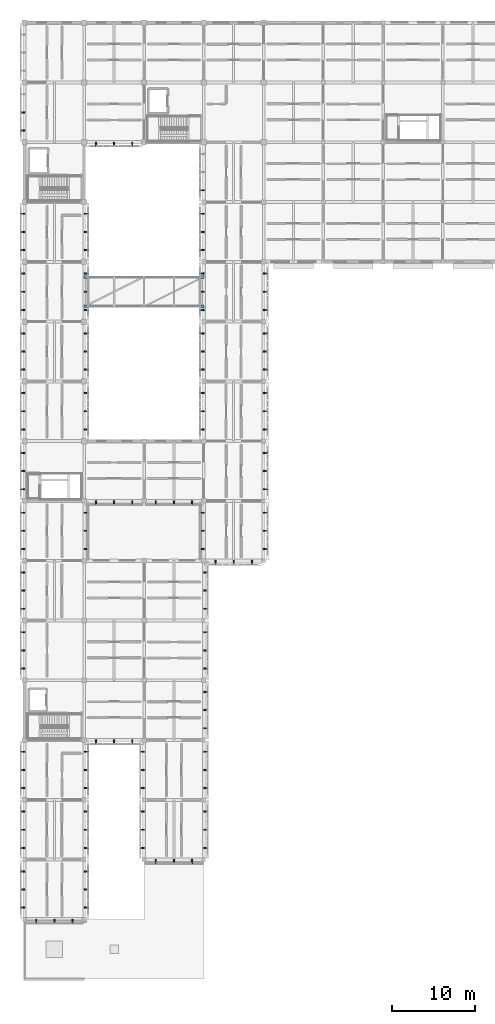
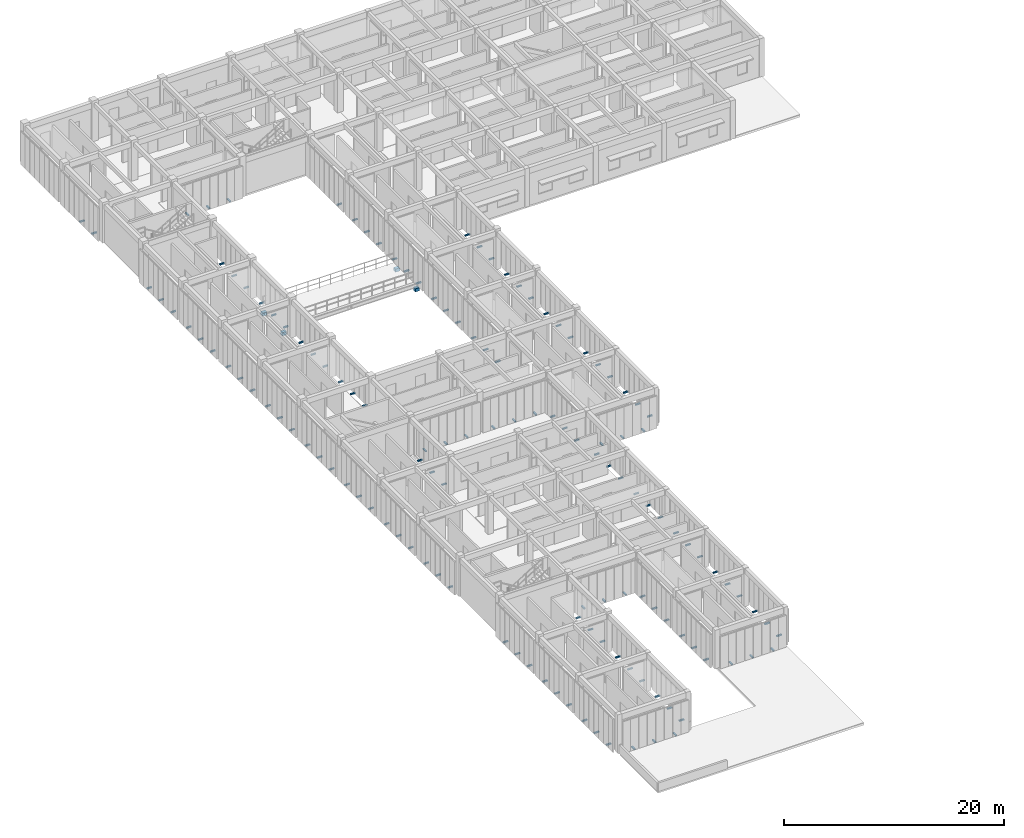
# One storey, part 83 of 91: 136 discrete accessories.
"""IFC4 building model written with IfcOpenShell, lengths in metres."""

from ifc_helpers import new_model, si_unit, direction, frame, origin, origin_2d, place, context, subcontext, project, spatial, rectangle, extrude, material, type_object, element, save


model = new_model("IFC4")

# Units and contexts
model_context = context("Model", 3, precision=1e-05, world=origin(), true_north=direction((0.0, 1.0)))
body_context = subcontext(model_context, "Body", "Model", "MODEL_VIEW")
ifc_project = project(units=[si_unit("LENGTHUNIT", "METRE"), si_unit("AREAUNIT", "SQUARE_METRE"), si_unit("VOLUMEUNIT", "CUBIC_METRE"), si_unit("PLANEANGLEUNIT", "RADIAN"), si_unit("MASSUNIT", "GRAM", prefix="KILO")], contexts=[model_context])

# Site, building, storey
site_placement = place(None, origin())
site = spatial("IfcSite", under=ifc_project, at=site_placement, CompositionType="ELEMENT")
building_placement = place(site_placement, origin())
building = spatial("IfcBuilding", under=site, at=building_placement, Name="Aldebral Square Health Centre", CompositionType="ELEMENT")
storey_placement = place(building_placement, frame((0.0, 0.0, 9.0)))
storey = spatial("IfcBuildingStorey", under=building, at=storey_placement, Name="L02", CompositionType="ELEMENT", Elevation=9.0)

# Discrete accessories
ifc_material_1 = material(Name="Steel S355JR", Category="steel")
discrete_accessory_type_1 = type_object("IfcDiscreteAccessoryType", Name="ACC-BRK-1", PredefinedType="BRACKET", material=ifc_material_1)
for number, where, z_axis, x_axis, name in (
    (1, (1.416015625, 6.969970703125, -0.009765625), (0.0, 0.0, 1.0), (1.0, 0.0, 0.0), "L02 finned curtain-wall bracket L02-V6-00-01-S.1"),
    (2, (3.60009765625, 6.969970703125, -0.009765625), (0.0, 0.0, 1.0), (1.0, 0.0, 0.0), "L02 finned curtain-wall bracket L02-V6-00-01-S.2"),
    (3, (5.783935546875, 6.969970703125, -0.009765625), (0.0, 0.0, 1.0), (1.0, 0.0, 0.0), "L02 finned curtain-wall bracket L02-V6-00-01-S.3"),
    (4, (-0.22998046875, 12.98388671875, -0.009765625), (0.0, 0.0, 1.0), (0.0, 1.0, 0.0), "L02 finned curtain-wall bracket L02-V6-00-01-W.1"),
    (5, (-0.22998046875, 10.800048828125, -0.009765625), (0.0, 0.0, 1.0), (0.0, 1.0, 0.0), "L02 finned curtain-wall bracket L02-V6-00-01-W.2"),
    (6, (-0.22998046875, 8.615966796875, -0.009765625), (0.0, 0.0, 1.0), (0.0, 1.0, 0.0), "L02 finned curtain-wall bracket L02-V6-00-01-W.3"),
    (7, (7.429931640625, 8.615966796875, -0.009765625), (0.0, 0.0, 1.0), (0.0, 1.0, 0.0), "L02 finned curtain-wall bracket L02-V6-00-01-E.1"),
    (8, (7.429931640625, 10.800048828125, -0.009765625), (0.0, 0.0, 1.0), (0.0, 1.0, 0.0), "L02 finned curtain-wall bracket L02-V6-00-01-E.2"),
    (9, (7.429931640625, 12.98388671875, -0.009765625), (0.0, 0.0, 1.0), (0.0, 1.0, 0.0), "L02 finned curtain-wall bracket L02-V6-00-01-E.3"),
    (10, (-0.22998046875, 20.18408203125, -0.009765625), (0.0, 0.0, 1.0), (0.0, 1.0, 0.0), "L02 finned curtain-wall bracket L02-V6-00-02-W.1"),
    (11, (-0.22998046875, 18.0, -0.009765625), (0.0, 0.0, 1.0), (0.0, 1.0, 0.0), "L02 finned curtain-wall bracket L02-V6-00-02-W.2"),
    (12, (-0.22998046875, 15.81591796875, -0.009765625), (0.0, 0.0, 1.0), (0.0, 1.0, 0.0), "L02 finned curtain-wall bracket L02-V6-00-02-W.3"),
    (13, (7.429931640625, 15.81591796875, -0.009765625), (0.0, 0.0, 1.0), (0.0, 1.0, 0.0), "L02 finned curtain-wall bracket L02-V6-00-02-E.1"),
    (14, (7.429931640625, 18.0, -0.009765625), (0.0, 0.0, 1.0), (0.0, 1.0, 0.0), "L02 finned curtain-wall bracket L02-V6-00-02-E.2"),
    (15, (7.429931640625, 20.18408203125, -0.009765625), (0.0, 0.0, 1.0), (0.0, 1.0, 0.0), "L02 finned curtain-wall bracket L02-V6-00-02-E.3"),
    (16, (-0.22998046875, 27.384033203125, -0.009765625), (0.0, 0.0, 1.0), (0.0, 1.0, 0.0), "L02 finned curtain-wall bracket L02-V6-00-03-W.1"),
    (17, (-0.22998046875, 25.199951171875, -0.009765625), (0.0, 0.0, 1.0), (0.0, 1.0, 0.0), "L02 finned curtain-wall bracket L02-V6-00-03-W.2"),
    (18, (-0.22998046875, 23.01611328125, -0.009765625), (0.0, 0.0, 1.0), (0.0, 1.0, 0.0), "L02 finned curtain-wall bracket L02-V6-00-03-W.3"),
    (19, (7.429931640625, 23.01611328125, -0.009765625), (0.0, 0.0, 1.0), (0.0, 1.0, 0.0), "L02 finned curtain-wall bracket L02-V6-00-03-E.1"),
    (20, (7.429931640625, 25.199951171875, -0.009765625), (0.0, 0.0, 1.0), (0.0, 1.0, 0.0), "L02 finned curtain-wall bracket L02-V6-00-03-E.2"),
    (21, (7.429931640625, 27.384033203125, -0.009765625), (0.0, 0.0, 1.0), (0.0, 1.0, 0.0), "L02 finned curtain-wall bracket L02-V6-00-03-E.3"),
    (22, (-0.22998046875, 41.783935546875, -0.009765625), (0.0, 0.0, 1.0), (0.0, 1.0, 0.0), "L02 finned curtain-wall bracket L02-V6-00-05-W.1"),
    (23, (-0.22998046875, 39.60009765625, -0.009765625), (0.0, 0.0, 1.0), (0.0, 1.0, 0.0), "L02 finned curtain-wall bracket L02-V6-00-05-W.2"),
    (24, (-0.22998046875, 37.416015625, -0.009765625), (0.0, 0.0, 1.0), (0.0, 1.0, 0.0), "L02 finned curtain-wall bracket L02-V6-00-05-W.3"),
    (25, (-0.22998046875, 48.98388671875, -0.009765625), (0.0, 0.0, 1.0), (0.0, 1.0, 0.0), "L02 finned curtain-wall bracket L02-V6-00-06-W.1"),
    (26, (-0.22998046875, 46.800048828125, -0.009765625), (0.0, 0.0, 1.0), (0.0, 1.0, 0.0), "L02 finned curtain-wall bracket L02-V6-00-06-W.2"),
    (27, (-0.22998046875, 44.615966796875, -0.009765625), (0.0, 0.0, 1.0), (0.0, 1.0, 0.0), "L02 finned curtain-wall bracket L02-V6-00-06-W.3"),
    (28, (-0.22998046875, 56.18408203125, -0.009765625), (0.0, 0.0, 1.0), (0.0, 1.0, 0.0), "L02 finned curtain-wall bracket L02-V4-00-07-W.1"),
    (29, (-0.22998046875, 54.0, -0.009765625), (0.0, 0.0, 1.0), (0.0, 1.0, 0.0), "L02 finned curtain-wall bracket L02-V4-00-07-W.2"),
    (30, (-0.22998046875, 51.81591796875, -0.009765625), (0.0, 0.0, 1.0), (0.0, 1.0, 0.0), "L02 finned curtain-wall bracket L02-V4-00-07-W.3"),
    (31, (7.429931640625, 51.81591796875, -0.009765625), (0.0, 0.0, 1.0), (0.0, 1.0, 0.0), "L02 finned curtain-wall bracket L02-V4-00-07-E.1"),
    (32, (7.429931640625, 54.0, -0.009765625), (0.0, 0.0, 1.0), (0.0, 1.0, 0.0), "L02 finned curtain-wall bracket L02-V4-00-07-E.2"),
    (33, (7.429931640625, 56.18408203125, -0.009765625), (0.0, 0.0, 1.0), (0.0, 1.0, 0.0), "L02 finned curtain-wall bracket L02-V4-00-07-E.3"),
    (34, (-0.22998046875, 63.384033203125, -0.009765625), (0.0, 0.0, 1.0), (0.0, 1.0, 0.0), "L02 finned curtain-wall bracket L02-V4-00-08-W.1"),
    (35, (-0.22998046875, 61.199951171875, -0.009765625), (0.0, 0.0, 1.0), (0.0, 1.0, 0.0), "L02 finned curtain-wall bracket L02-V4-00-08-W.2"),
    (36, (-0.22998046875, 59.01611328125, -0.009765625), (0.0, 0.0, 1.0), (0.0, 1.0, 0.0), "L02 finned curtain-wall bracket L02-V4-00-08-W.3"),
    (37, (-0.22998046875, 70.583984375, -0.009765625), (0.0, 0.0, 1.0), (0.0, 1.0, 0.0), "L02 finned curtain-wall bracket L02-V4-00-09-W.1"),
    (38, (-0.22998046875, 68.39990234375, -0.009765625), (0.0, 0.0, 1.0), (0.0, 1.0, 0.0), "L02 finned curtain-wall bracket L02-V4-00-09-W.2"),
    (39, (-0.22998046875, 66.216064453125, -0.009765625), (0.0, 0.0, 1.0), (0.0, 1.0, 0.0), "L02 finned curtain-wall bracket L02-V4-00-09-W.3"),
    (40, (7.429931640625, 66.216064453125, -0.009765625), (0.0, 0.0, 1.0), (0.0, 1.0, 0.0), "L02 finned curtain-wall bracket L02-V4-00-09-E.1"),
    (41, (7.429931640625, 68.39990234375, -0.009765625), (0.0, 0.0, 1.0), (0.0, 1.0, 0.0), "L02 finned curtain-wall bracket L02-V4-00-09-E.2"),
    (42, (7.429931640625, 70.583984375, -0.009765625), (0.0, 0.0, 1.0), (0.0, 1.0, 0.0), "L02 finned curtain-wall bracket L02-V4-00-09-E.3"),
    (43, (-0.22998046875, 77.783935546875, -0.009765625), (0.0, 0.0, 1.0), (0.0, 1.0, 0.0), "L02 finned curtain-wall bracket L02-V4-00-10-W.1"),
    (44, (-0.22998046875, 75.60009765625, -0.009765625), (0.0, 0.0, 1.0), (0.0, 1.0, 0.0), "L02 finned curtain-wall bracket L02-V4-00-10-W.2"),
    (45, (-0.22998046875, 73.416015625, -0.009765625), (0.0, 0.0, 1.0), (0.0, 1.0, 0.0), "L02 finned curtain-wall bracket L02-V4-00-10-W.3"),
    (46, (7.429931640625, 73.416015625, -0.009765625), (0.0, 0.0, 1.0), (0.0, 1.0, 0.0), "L02 finned curtain-wall bracket L02-V4-00-10-E.1"),
    (47, (7.429931640625, 75.60009765625, -0.009765625), (0.0, 0.0, 1.0), (0.0, 1.0, 0.0), "L02 finned curtain-wall bracket L02-V4-00-10-E.2"),
    (48, (7.429931640625, 77.783935546875, -0.009765625), (0.0, 0.0, 1.0), (0.0, 1.0, 0.0), "L02 finned curtain-wall bracket L02-V4-00-10-E.3"),
    (49, (-0.22998046875, 84.98388671875, -0.009765625), (0.0, 0.0, 1.0), (0.0, 1.0, 0.0), "L02 finned curtain-wall bracket L02-V4-00-11-W.1"),
    (50, (-0.22998046875, 82.800048828125, -0.009765625), (0.0, 0.0, 1.0), (0.0, 1.0, 0.0), "L02 finned curtain-wall bracket L02-V4-00-11-W.2"),
    (51, (-0.22998046875, 80.615966796875, -0.009765625), (0.0, 0.0, 1.0), (0.0, 1.0, 0.0), "L02 finned curtain-wall bracket L02-V4-00-11-W.3"),
    (52, (7.429931640625, 80.615966796875, -0.009765625), (0.0, 0.0, 1.0), (0.0, 1.0, 0.0), "L02 finned curtain-wall bracket L02-V4-00-11-E.1"),
    (53, (7.429931640625, 82.800048828125, -0.009765625), (0.0, 0.0, 1.0), (0.0, 1.0, 0.0), "L02 finned curtain-wall bracket L02-V4-00-11-E.2"),
    (54, (7.429931640625, 84.98388671875, -0.009765625), (0.0, 0.0, 1.0), (0.0, 1.0, 0.0), "L02 finned curtain-wall bracket L02-V4-00-11-E.3"),
    (55, (-0.22998046875, 92.18408203125, -0.009765625), (0.0, 0.0, 1.0), (0.0, 1.0, 0.0), "L02 finned curtain-wall bracket L02-V4-00-12-W.1"),
    (56, (-0.22998046875, 90.0, -0.009765625), (0.0, 0.0, 1.0), (0.0, 1.0, 0.0), "L02 finned curtain-wall bracket L02-V4-00-12-W.2"),
    (57, (-0.22998046875, 87.81591796875, -0.009765625), (0.0, 0.0, 1.0), (0.0, 1.0, 0.0), "L02 finned curtain-wall bracket L02-V4-00-12-W.3"),
    (58, (7.429931640625, 87.81591796875, -0.009765625), (0.0, 0.0, 1.0), (0.0, 1.0, 0.0), "L02 finned curtain-wall bracket L02-V4-00-12-E.1"),
    (59, (7.429931640625, 90.0, -0.009765625), (0.0, 0.0, 1.0), (0.0, 1.0, 0.0), "L02 finned curtain-wall bracket L02-V4-00-12-E.2"),
    (60, (7.429931640625, 92.18408203125, -0.009765625), (0.0, 0.0, 1.0), (0.0, 1.0, 0.0), "L02 finned curtain-wall bracket L02-V4-00-12-E.3"),
    (61, (-0.22998046875, 104.39990234375, -0.009765625), (0.0, 0.0, 1.0), (0.0, 1.0, 0.0), "L02 finned curtain-wall bracket L02-V4-00-14-W.2"),
    (62, (-0.22998046875, 102.216064453125, -0.009765625), (0.0, 0.0, 1.0), (0.0, 1.0, 0.0), "L02 finned curtain-wall bracket L02-V4-00-14-W.3"),
    (63, (8.615966796875, 28.570068359375, -0.009765625), (0.0, 0.0, 1.0), (1.0, 0.0, 0.0), "L02 finned curtain-wall bracket L02-V6-01-04-S.1"),
    (64, (10.800048828125, 28.570068359375, -0.009765625), (0.0, 0.0, 1.0), (1.0, 0.0, 0.0), "L02 finned curtain-wall bracket L02-V6-01-04-S.2"),
    (65, (12.98388671875, 28.570068359375, -0.009765625), (0.0, 0.0, 1.0), (1.0, 0.0, 0.0), "L02 finned curtain-wall bracket L02-V6-01-04-S.3"),
    (66, (8.615966796875, 57.3701171875, -0.009765625), (0.0, 0.0, 1.0), (1.0, 0.0, 0.0), "L02 finned curtain-wall bracket L02-V4-01-08-S.1"),
    (67, (10.800048828125, 57.3701171875, -0.009765625), (0.0, 0.0, 1.0), (1.0, 0.0, 0.0), "L02 finned curtain-wall bracket L02-V4-01-08-S.2"),
    (68, (12.98388671875, 57.3701171875, -0.009765625), (0.0, 0.0, 1.0), (1.0, 0.0, 0.0), "L02 finned curtain-wall bracket L02-V4-01-08-S.3"),
    (69, (8.615966796875, 100.570068359375, -0.009765625), (0.0, 0.0, 1.0), (1.0, 0.0, 0.0), "L02 finned curtain-wall bracket L02-V4-01-14-S.1"),
    (70, (10.800048828125, 100.570068359375, -0.009765625), (0.0, 0.0, 1.0), (1.0, 0.0, 0.0), "L02 finned curtain-wall bracket L02-V4-01-14-S.2"),
    (71, (12.98388671875, 100.570068359375, -0.009765625), (0.0, 0.0, 1.0), (1.0, 0.0, 0.0), "L02 finned curtain-wall bracket L02-V4-01-14-S.3"),
    (72, (15.81591796875, 14.169921875, -0.009765625), (0.0, 0.0, 1.0), (1.0, 0.0, 0.0), "L02 finned curtain-wall bracket L02-V6-02-02-S.1"),
    (73, (18.0, 14.169921875, -0.009765625), (0.0, 0.0, 1.0), (1.0, 0.0, 0.0), "L02 finned curtain-wall bracket L02-V6-02-02-S.2"),
    (74, (20.18408203125, 14.169921875, -0.009765625), (0.0, 0.0, 1.0), (1.0, 0.0, 0.0), "L02 finned curtain-wall bracket L02-V6-02-02-S.3"),
    (75, (14.169921875, 20.18408203125, -0.009765625), (0.0, 0.0, 1.0), (0.0, 1.0, 0.0), "L02 finned curtain-wall bracket L02-V6-02-02-W.1"),
    (76, (14.169921875, 18.0, -0.009765625), (0.0, 0.0, 1.0), (0.0, 1.0, 0.0), "L02 finned curtain-wall bracket L02-V6-02-02-W.2"),
    (77, (14.169921875, 15.81591796875, -0.009765625), (0.0, 0.0, 1.0), (0.0, 1.0, 0.0), "L02 finned curtain-wall bracket L02-V6-02-02-W.3"),
    (78, (21.830078125, 15.81591796875, -0.009765625), (0.0, 0.0, 1.0), (0.0, 1.0, 0.0), "L02 finned curtain-wall bracket L02-V6-02-02-E.1"),
    (79, (21.830078125, 18.0, -0.009765625), (0.0, 0.0, 1.0), (0.0, 1.0, 0.0), "L02 finned curtain-wall bracket L02-V6-02-02-E.2"),
    (80, (21.830078125, 20.18408203125, -0.009765625), (0.0, 0.0, 1.0), (0.0, 1.0, 0.0), "L02 finned curtain-wall bracket L02-V6-02-02-E.3"),
    (81, (14.169921875, 27.384033203125, -0.009765625), (0.0, 0.0, 1.0), (0.0, 1.0, 0.0), "L02 finned curtain-wall bracket L02-V6-02-03-W.1"),
    (82, (14.169921875, 25.199951171875, -0.009765625), (0.0, 0.0, 1.0), (0.0, 1.0, 0.0), "L02 finned curtain-wall bracket L02-V6-02-03-W.2"),
    (83, (14.169921875, 23.01611328125, -0.009765625), (0.0, 0.0, 1.0), (0.0, 1.0, 0.0), "L02 finned curtain-wall bracket L02-V6-02-03-W.3"),
    (84, (21.830078125, 23.01611328125, -0.009765625), (0.0, 0.0, 1.0), (0.0, 1.0, 0.0), "L02 finned curtain-wall bracket L02-V6-02-03-E.1"),
    (85, (21.830078125, 25.199951171875, -0.009765625), (0.0, 0.0, 1.0), (0.0, 1.0, 0.0), "L02 finned curtain-wall bracket L02-V6-02-03-E.2"),
    (86, (21.830078125, 27.384033203125, -0.009765625), (0.0, 0.0, 1.0), (0.0, 1.0, 0.0), "L02 finned curtain-wall bracket L02-V6-02-03-E.3"),
    (87, (21.830078125, 30.216064453125, -0.009765625), (0.0, 0.0, 1.0), (0.0, 1.0, 0.0), "L02 finned curtain-wall bracket L02-V6-02-04-E.1"),
    (88, (21.830078125, 32.39990234375, -0.009765625), (0.0, 0.0, 1.0), (0.0, 1.0, 0.0), "L02 finned curtain-wall bracket L02-V6-02-04-E.2"),
    (89, (21.830078125, 34.583984375, -0.009765625), (0.0, 0.0, 1.0), (0.0, 1.0, 0.0), "L02 finned curtain-wall bracket L02-V6-02-04-E.3"),
    (90, (21.830078125, 37.416015625, -0.009765625), (0.0, 0.0, 1.0), (0.0, 1.0, 0.0), "L02 finned curtain-wall bracket L02-V6-02-05-E.1"),
    (91, (21.830078125, 39.60009765625, -0.009765625), (0.0, 0.0, 1.0), (0.0, 1.0, 0.0), "L02 finned curtain-wall bracket L02-V6-02-05-E.2"),
    (92, (21.830078125, 41.783935546875, -0.009765625), (0.0, 0.0, 1.0), (0.0, 1.0, 0.0), "L02 finned curtain-wall bracket L02-V6-02-05-E.3"),
    (93, (21.830078125, 44.615966796875, -0.009765625), (0.0, 0.0, 1.0), (0.0, 1.0, 0.0), "L02 finned curtain-wall bracket L02-V6-02-06-E.1"),
    (94, (21.830078125, 46.800048828125, -0.009765625), (0.0, 0.0, 1.0), (0.0, 1.0, 0.0), "L02 finned curtain-wall bracket L02-V6-02-06-E.2"),
    (95, (21.830078125, 48.98388671875, -0.009765625), (0.0, 0.0, 1.0), (0.0, 1.0, 0.0), "L02 finned curtain-wall bracket L02-V6-02-06-E.3"),
    (96, (15.81591796875, 57.3701171875, -0.009765625), (0.0, 0.0, 1.0), (1.0, 0.0, 0.0), "L02 finned curtain-wall bracket L02-V4-02-08-S.1"),
    (97, (18.0, 57.3701171875, -0.009765625), (0.0, 0.0, 1.0), (1.0, 0.0, 0.0), "L02 finned curtain-wall bracket L02-V4-02-08-S.2"),
    (98, (20.18408203125, 57.3701171875, -0.009765625), (0.0, 0.0, 1.0), (1.0, 0.0, 0.0), "L02 finned curtain-wall bracket L02-V4-02-08-S.3"),
    (99, (23.01611328125, 50.169921875, -0.009765625), (0.0, 0.0, 1.0), (1.0, 0.0, 0.0), "L02 finned curtain-wall bracket L02-V4-03-07-S.1"),
    (100, (25.199951171875, 50.169921875, -0.009765625), (0.0, 0.0, 1.0), (1.0, 0.0, 0.0), "L02 finned curtain-wall bracket L02-V4-03-07-S.2"),
    (101, (27.384033203125, 50.169921875, -0.009765625), (0.0, 0.0, 1.0), (1.0, 0.0, 0.0), "L02 finned curtain-wall bracket L02-V4-03-07-S.3"),
    (102, (21.3701171875, 56.18408203125, -0.009765625), (0.0, 0.0, 1.0), (0.0, 1.0, 0.0), "L02 finned curtain-wall bracket L02-V4-03-07-W.1"),
    (103, (21.3701171875, 54.0, -0.009765625), (0.0, 0.0, 1.0), (0.0, 1.0, 0.0), "L02 finned curtain-wall bracket L02-V4-03-07-W.2"),
    (104, (21.3701171875, 51.81591796875, -0.009765625), (0.0, 0.0, 1.0), (0.0, 1.0, 0.0), "L02 finned curtain-wall bracket L02-V4-03-07-W.3"),
    (105, (29.030029296875, 51.81591796875, -0.009765625), (0.0, 0.0, 1.0), (0.0, 1.0, 0.0), "L02 finned curtain-wall bracket L02-V4-03-07-E.1"),
    (106, (29.030029296875, 54.0, -0.009765625), (0.0, 0.0, 1.0), (0.0, 1.0, 0.0), "L02 finned curtain-wall bracket L02-V4-03-07-E.2"),
    (107, (29.030029296875, 56.18408203125, -0.009765625), (0.0, 0.0, 1.0), (0.0, 1.0, 0.0), "L02 finned curtain-wall bracket L02-V4-03-07-E.3"),
    (108, (29.030029296875, 59.01611328125, -0.009765625), (0.0, 0.0, 1.0), (0.0, 1.0, 0.0), "L02 finned curtain-wall bracket L02-V4-03-08-E.1"),
    (109, (29.030029296875, 61.199951171875, -0.009765625), (0.0, 0.0, 1.0), (0.0, 1.0, 0.0), "L02 finned curtain-wall bracket L02-V4-03-08-E.2"),
    (110, (29.030029296875, 63.384033203125, -0.009765625), (0.0, 0.0, 1.0), (0.0, 1.0, 0.0), "L02 finned curtain-wall bracket L02-V4-03-08-E.3"),
    (111, (21.3701171875, 70.583984375, -0.009765625), (0.0, 0.0, 1.0), (0.0, 1.0, 0.0), "L02 finned curtain-wall bracket L02-V4-03-09-W.1"),
    (112, (21.3701171875, 68.39990234375, -0.009765625), (0.0, 0.0, 1.0), (0.0, 1.0, 0.0), "L02 finned curtain-wall bracket L02-V4-03-09-W.2"),
    (113, (21.3701171875, 66.216064453125, -0.009765625), (0.0, 0.0, 1.0), (0.0, 1.0, 0.0), "L02 finned curtain-wall bracket L02-V4-03-09-W.3"),
    (114, (29.030029296875, 66.216064453125, -0.009765625), (0.0, 0.0, 1.0), (0.0, 1.0, 0.0), "L02 finned curtain-wall bracket L02-V4-03-09-E.1"),
    (115, (29.030029296875, 68.39990234375, -0.009765625), (0.0, 0.0, 1.0), (0.0, 1.0, 0.0), "L02 finned curtain-wall bracket L02-V4-03-09-E.2"),
    (116, (29.030029296875, 70.583984375, -0.009765625), (0.0, 0.0, 1.0), (0.0, 1.0, 0.0), "L02 finned curtain-wall bracket L02-V4-03-09-E.3"),
    (117, (21.3701171875, 77.783935546875, -0.009765625), (0.0, 0.0, 1.0), (0.0, 1.0, 0.0), "L02 finned curtain-wall bracket L02-V4-03-10-W.1"),
    (118, (21.3701171875, 75.60009765625, -0.009765625), (0.0, 0.0, 1.0), (0.0, 1.0, 0.0), "L02 finned curtain-wall bracket L02-V4-03-10-W.2"),
    (119, (21.3701171875, 73.416015625, -0.009765625), (0.0, 0.0, 1.0), (0.0, 1.0, 0.0), "L02 finned curtain-wall bracket L02-V4-03-10-W.3"),
    (120, (29.030029296875, 73.416015625, -0.009765625), (0.0, 0.0, 1.0), (0.0, 1.0, 0.0), "L02 finned curtain-wall bracket L02-V4-03-10-E.1"),
    (121, (29.030029296875, 75.60009765625, -0.009765625), (0.0, 0.0, 1.0), (0.0, 1.0, 0.0), "L02 finned curtain-wall bracket L02-V4-03-10-E.2"),
    (122, (29.030029296875, 77.783935546875, -0.009765625), (0.0, 0.0, 1.0), (0.0, 1.0, 0.0), "L02 finned curtain-wall bracket L02-V4-03-10-E.3"),
    (123, (21.3701171875, 84.98388671875, -0.009765625), (0.0, 0.0, 1.0), (0.0, 1.0, 0.0), "L02 finned curtain-wall bracket L02-V4-03-11-W.1"),
    (124, (21.3701171875, 82.800048828125, -0.009765625), (0.0, 0.0, 1.0), (0.0, 1.0, 0.0), "L02 finned curtain-wall bracket L02-V4-03-11-W.2"),
    (125, (21.3701171875, 80.615966796875, -0.009765625), (0.0, 0.0, 1.0), (0.0, 1.0, 0.0), "L02 finned curtain-wall bracket L02-V4-03-11-W.3"),
    (126, (29.030029296875, 80.615966796875, -0.009765625), (0.0, 0.0, 1.0), (0.0, 1.0, 0.0), "L02 finned curtain-wall bracket L02-V4-03-11-E.1"),
    (127, (29.030029296875, 82.800048828125, -0.009765625), (0.0, 0.0, 1.0), (0.0, 1.0, 0.0), "L02 finned curtain-wall bracket L02-V4-03-11-E.2"),
    (128, (29.030029296875, 84.98388671875, -0.009765625), (0.0, 0.0, 1.0), (0.0, 1.0, 0.0), "L02 finned curtain-wall bracket L02-V4-03-11-E.3"),
    (129, (21.3701171875, 92.18408203125, -0.009765625), (0.0, 0.0, 1.0), (0.0, 1.0, 0.0), "L02 finned curtain-wall bracket L02-V4-03-12-W.1"),
    (130, (21.3701171875, 90.0, -0.009765625), (0.0, 0.0, 1.0), (0.0, 1.0, 0.0), "L02 finned curtain-wall bracket L02-V4-03-12-W.2"),
    (131, (21.3701171875, 87.81591796875, -0.009765625), (0.0, 0.0, 1.0), (0.0, 1.0, 0.0), "L02 finned curtain-wall bracket L02-V4-03-12-W.3"),
    (132, (21.3701171875, 95.01611328125, -0.009765625), (0.0, 0.0, 1.0), (0.0, 1.0, 0.0), "L02 finned curtain-wall bracket L02-V4-03-13-W.3"),
):
    element("IfcDiscreteAccessory", number, at=place(storey_placement, frame(where, z_axis=z_axis, x_axis=x_axis)), inside=storey, type_object=discrete_accessory_type_1, Name=name, PredefinedType="BRACKET", context=body_context, shape_type="SweptSolid", body=[
        extrude(rectangle(XDim=0.159912109375, YDim=0.52001953125, at=origin_2d()), origin(), (0.0, 0.0, 1.0), 0.139892578125),
    ])
ifc_material_2 = material(Name="Concrete C40/50", Category="concrete")
discrete_accessory_type_2 = type_object("IfcDiscreteAccessoryType", Name="ACC-COR-1", PredefinedType="BRACKET", material=ifc_material_2)
for number, where, z_axis, x_axis, name in (
    (133, (7.425048828125, 81.0, -1.02001953125), (0.0, 0.0, 1.0), (1.0, 0.0, 0.0), "West Light Court Bridge L02 450mm sliding bearing corbel seat S1-W"),
    (134, (21.375, 81.0, -1.02001953125), (0.0, 0.0, 1.0), (1.0, 0.0, 0.0), "West Light Court Bridge L02 450mm sliding bearing corbel seat S1-E"),
    (135, (7.425048828125, 84.60009765625, -1.02001953125), (0.0, 0.0, 1.0), (1.0, 0.0, 0.0), "West Light Court Bridge L02 450mm sliding bearing corbel seat S2-W"),
    (136, (21.375, 84.60009765625, -1.02001953125), (0.0, 0.0, 1.0), (1.0, 0.0, 0.0), "West Light Court Bridge L02 450mm sliding bearing corbel seat S2-E"),
):
    element("IfcDiscreteAccessory", number, at=place(storey_placement, frame(where, z_axis=z_axis, x_axis=x_axis)), inside=storey, type_object=discrete_accessory_type_2, Name=name, PredefinedType="BRACKET", context=body_context, shape_type="SweptSolid", body=[
        extrude(rectangle(XDim=0.449951171875, YDim=0.360107421875, at=origin_2d()), origin(), (0.0, 0.0, 1.0), 0.35009765625),
    ])

save(model, "model.ifc")
